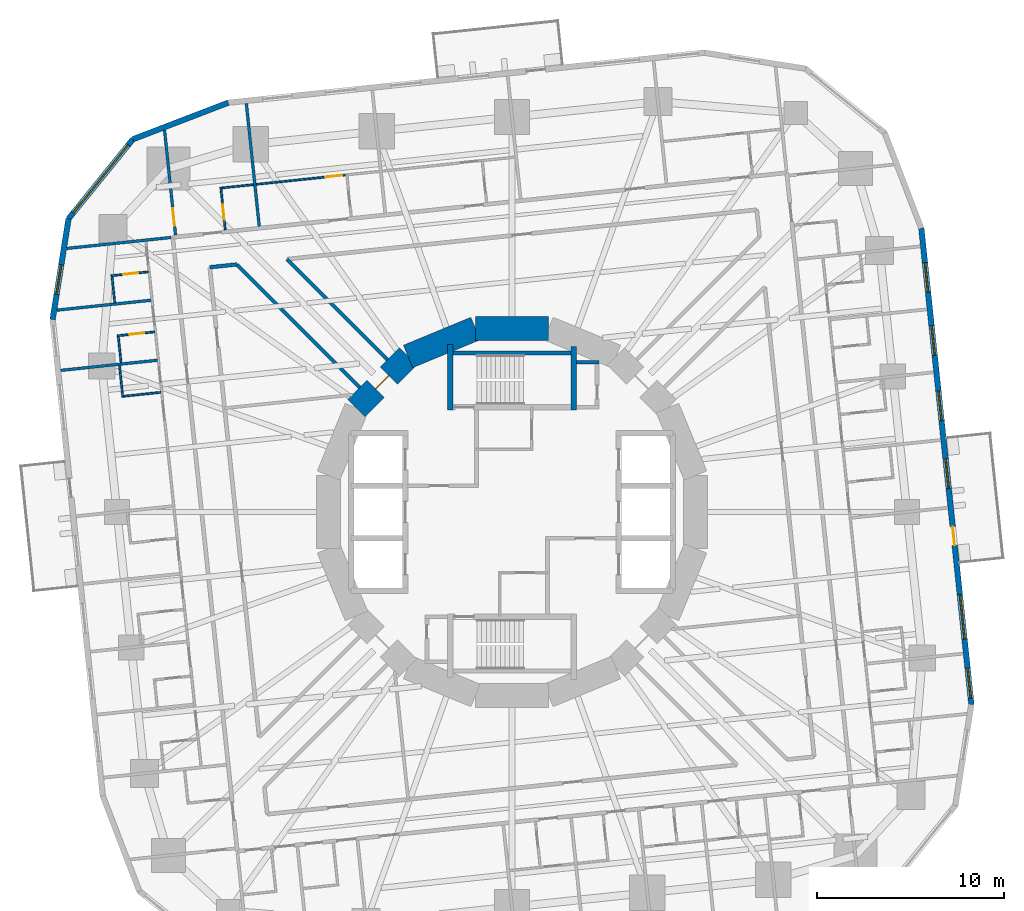
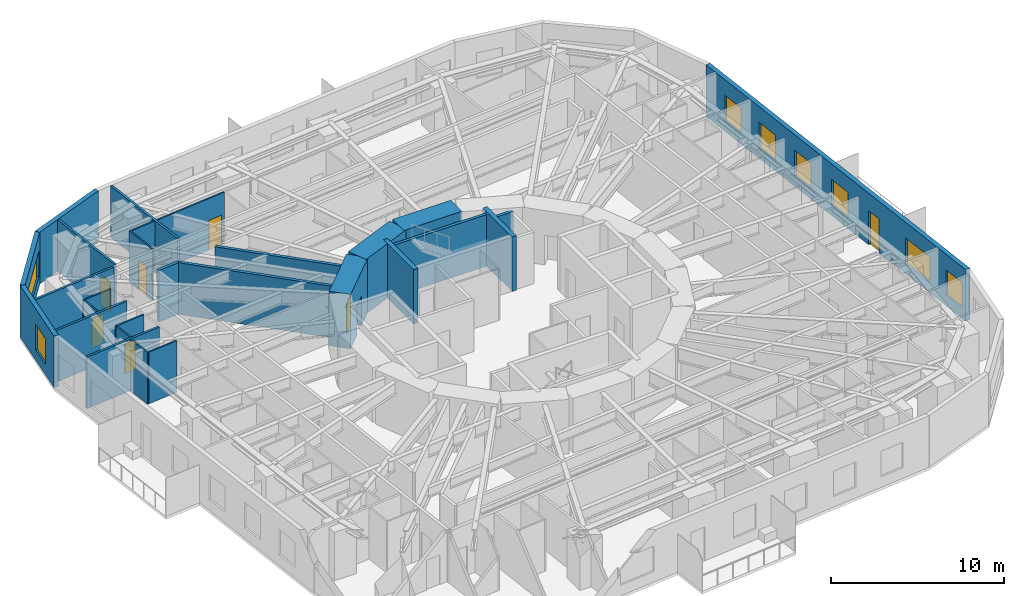
# One storey, part 9 of 13: 28 walls, 8 windows, 7 doors, 15 openings.
"""IFC4 building model written with IfcOpenShell, lengths in metres."""

from ifc_helpers import new_model, si_unit, direction, frame, frame_2d, origin, place, context, subcontext, project, spatial, rectangle, extrude, material, layer, layer_set, type_object, element, fill, save


model = new_model("IFC4")

# Units and contexts
model_context = context("Model", 3, precision=1e-05, world=origin(), true_north=direction((0.0, 1.0)))
body_context = subcontext(model_context, "Body", "Model", "MODEL_VIEW")
ifc_project = project(units=[si_unit("LENGTHUNIT", "METRE"), si_unit("AREAUNIT", "SQUARE_METRE"), si_unit("VOLUMEUNIT", "CUBIC_METRE"), si_unit("PLANEANGLEUNIT", "RADIAN"), si_unit("MASSUNIT", "GRAM", prefix="KILO")], contexts=[model_context])

# Site, building, storey
site_placement = place(None, origin())
site = spatial("IfcSite", under=ifc_project, at=site_placement, CompositionType="ELEMENT")
building_placement = place(site_placement, origin())
building = spatial("IfcBuilding", under=site, at=building_placement, Name="Nakasero Lantern House", CompositionType="ELEMENT")
storey_placement = place(building_placement, frame((0.0, 0.0, 91.300048828125)))
storey = spatial("IfcBuildingStorey", under=building, at=storey_placement, Name="L22", CompositionType="ELEMENT", Elevation=91.300048828125)

# Walls
ifc_material_1 = material(Name="Concrete C50/60", Category="concrete")
ifc_layer_1 = layer(ifc_material_1, 0.300048828125)
ifc_layer_set_1 = layer_set([ifc_layer_1], Name="Core inner wall 300")
wall_type_1 = type_object("IfcWallType", Name="Core inner wall 300", PredefinedType="SHEAR", material=ifc_layer_set_1)
wall_1_placement = place(storey_placement, frame((-3.300048828125, 5.449951171875, 0.0), z_axis=(0.0, 0.0, 1.0), x_axis=(0.0, 1.0, 0.0)))
element("IfcWall", 1, at=wall_1_placement, inside=storey, type_object=wall_type_1, Name="Core inner wall L22 SNW", PredefinedType="SHEAR", context=body_context, shape_type="SweptSolid", body=[
    extrude(rectangle(XDim=3.5, YDim=0.300048828125, at=frame_2d((1.75, 0.0))), origin(), (0.0, 0.0, 1.0), 3.849853515625),
])
wall_2_placement = place(storey_placement, frame((3.300048828125, 5.449951171875, 0.0), z_axis=(0.0, 0.0, 1.0), x_axis=(0.0, 1.0, 0.0)))
element("IfcWall", 2, at=wall_2_placement, inside=storey, type_object=wall_type_1, Name="Core inner wall L22 SNE", PredefinedType="SHEAR", context=body_context, shape_type="SweptSolid", body=[
    extrude(rectangle(XDim=3.400146484375, YDim=0.300048828125, at=frame_2d((1.7001953125, 0.0))), origin(), (0.0, 0.0, 1.0), 3.849853515625),
])
ifc_material_2 = material(Name="Concrete C50/60", Category="concrete")
ifc_layer_2 = layer(ifc_material_2, 1.300048828125)
ifc_layer_set_2 = layer_set([ifc_layer_2], Name="Core wall 1300")
wall_type_2 = type_object("IfcWallType", Name="Core wall 1300", PredefinedType="SHEAR", material=ifc_layer_set_2)
for number, where, z_axis, x_axis, name in (
    (3, (1.950927734375, 9.807861328125, 0.0), (0.0, 0.0, 1.0), (-1.0, 0.0, 0.0), "Core wall L22 facet 4"),
    (4, (-1.950927734375, 9.807861328125, 0.0), (0.0, 0.0, 1.0), (-0.923876507187, -0.382690736062, 0.0), "Core wall L22 facet 5"),
):
    element("IfcWall", number, at=place(storey_placement, frame(where, z_axis=z_axis, x_axis=x_axis)), inside=storey, type_object=wall_type_2, Name=name, PredefinedType="SHEAR", context=body_context, shape_type="SweptSolid", body=[
        extrude(rectangle(XDim=3.90185546875, YDim=1.300048828125, at=frame_2d((1.950927734375, 0.0))), origin(), (0.0, 0.0, 1.0), 3.849853515625),
    ])

# Wall, opening, door
wall_3_placement = place(storey_placement, frame((-5.5556640625, 8.314697265625, 0.0), z_axis=(0.0, 0.0, 1.0), x_axis=(-0.707106781187, -0.707106781187, 0.0)))
wall_3 = element("IfcWall", 5, at=wall_3_placement, inside=storey, type_object=wall_type_2, Name="Core wall L22 facet 6", PredefinedType="SHEAR", context=body_context, shape_type="SweptSolid", body=[
    extrude(rectangle(XDim=3.90185546875, YDim=1.300048828125, at=frame_2d((1.950927734375, 0.0))), origin(), (0.0, 0.0, 1.0), 3.849853515625),
])
opening_1_placement = place(wall_3_placement, frame((1.450927734375, 0.0, 0.0)))
opening_1 = element("IfcOpeningElement", 6, at=opening_1_placement, cuts=wall_3, Name="Opening D05", PredefinedType="OPENING", context=body_context, shape_type="SweptSolid", body=[
    extrude(rectangle(XDim=1.0, YDim=2.10009765625, at=frame_2d((0.5, 1.050048828125))), frame((0.0, 0.669921875, 0.0), z_axis=(0.0, -1.0, 0.0), x_axis=(1.0, 0.0, 0.0)), (0.0, 0.0, 1.0), 1.340087890625),
])
ifc_material_3 = material(Name="Timber C24", Category="wood")
door_type_1 = type_object("IfcDoorType", Name="Core door FD60S 1000", OperationType="SINGLE_SWING_LEFT", PredefinedType="DOOR", material=ifc_material_3)
door_1_placement = place(opening_1_placement, origin())
door_1 = element("IfcDoor", 7, at=door_1_placement, inside=storey, type_object=door_type_1, Name="Door L22 D-CORE06", OperationType="SINGLE_SWING_LEFT", OverallHeight=2.10009765625, OverallWidth=1.0, PredefinedType="DOOR", context=body_context, shape_type="SweptSolid", body=[
    extrude(rectangle(XDim=1.0, YDim=2.10009765625, at=frame_2d((0.5, 1.050048828125))), frame((0.0, 0.02490234375, 0.0), z_axis=(0.0, -1.0, 0.0), x_axis=(1.0, 0.0, 0.0)), (0.0, 0.0, 1.0), 0.050048828125),
])
fill(opening_1, door_1)

# Walls
ifc_material_4 = material(Name="Blockwork", Category="masonry")
ifc_layer_3 = layer(ifc_material_4, 0.199951171875)
ifc_layer_set_3 = layer_set([ifc_layer_3], Name="Corridor wall 200")
wall_type_3 = type_object("IfcWallType", Name="Corridor wall 200", PredefinedType="PARTITIONING", material=ifc_layer_set_3)
wall_4_placement = place(storey_placement, frame((-14.718994140625, 13.23388671875, 0.0), z_axis=(0.0, 0.0, 1.0), x_axis=(-0.994533193131, -0.104420916302, 0.0)))
element("IfcWall", 8, at=wall_4_placement, inside=storey, type_object=wall_type_3, Name="Corridor wall L22 IW1-1", PredefinedType="PARTITIONING", context=body_context, shape_type="SweptSolid", body=[
    extrude(rectangle(XDim=1.44482421875, YDim=0.199951171875, at=frame_2d((0.722412109375, 0.0))), origin(), (0.0, 0.0, 1.0), 3.64990234375),
])
wall_5_placement = place(storey_placement, frame((-8.13720703125, 6.65234375, 0.0), z_axis=(0.0, 0.0, 1.0), x_axis=(-0.707119895793, 0.707093666337, 0.0)))
element("IfcWall", 9, at=wall_5_placement, inside=storey, type_object=wall_type_3, Name="Corridor wall L22 PS06a", PredefinedType="PARTITIONING", context=body_context, shape_type="SweptSolid", body=[
    extrude(rectangle(XDim=9.307861328125, YDim=0.199951171875, at=frame_2d((4.65380859375, 0.0))), origin(), (0.0, 0.0, 1.0), 3.64990234375),
])
wall_6_placement = place(storey_placement, frame((-6.65234375, 8.13720703125, 0.0), z_axis=(0.0, 0.0, 1.0), x_axis=(-0.707106781187, 0.707106781187, 0.0)))
element("IfcWall", 10, at=wall_6_placement, inside=storey, type_object=wall_type_3, Name="Corridor wall L22 PS06b", PredefinedType="PARTITIONING", context=body_context, shape_type="SweptSolid", body=[
    extrude(rectangle(XDim=7.607177734375, YDim=0.199951171875, at=frame_2d((3.8037109375, 0.0))), origin(), (0.0, 0.0, 1.0), 3.64990234375),
])

# Wall, opening, door
ifc_material_5 = material(Name="Blockwork", Category="masonry")
ifc_layer_4 = layer(ifc_material_5, 0.10009765625)
ifc_layer_set_4 = layer_set([ifc_layer_4], Name="En-suite wall 100")
wall_type_4 = type_object("IfcWallType", Name="En-suite wall 100", PredefinedType="PARTITIONING", material=ifc_layer_set_4)
wall_7_placement = place(storey_placement, frame((-15.326416015625, 15.08056640625, 0.0), z_axis=(0.0, 0.0, 1.0), x_axis=(-0.104557694553, 0.994518822602, 0.0)))
wall_7 = element("IfcWall", 11, at=wall_7_placement, inside=storey, type_object=wall_type_4, Name="En-suite wall L22 ES1-08", PredefinedType="PARTITIONING", context=body_context, shape_type="SweptSolid", body=[
    extrude(rectangle(XDim=2.300048828125, YDim=0.10009765625, at=frame_2d((1.14990234375, 0.0))), origin(), (0.0, 0.0, 1.0), 3.64990234375),
])
opening_2_placement = place(wall_7_placement, frame((0.550048828125, 0.0, 0.0)))
opening_2 = element("IfcOpeningElement", 12, at=opening_2_placement, cuts=wall_7, Name="Opening D02", PredefinedType="OPENING", context=body_context, shape_type="SweptSolid", body=[
    extrude(rectangle(XDim=0.800048828125, YDim=2.10009765625, at=frame_2d((0.39990234375, 1.050048828125))), frame((0.0, 0.070068359375, 0.0), z_axis=(0.0, -1.0, 0.0), x_axis=(1.0, 0.0, 0.0)), (0.0, 0.0, 1.0), 0.14013671875),
])
ifc_material_6 = material(Name="Timber C24", Category="wood")
door_type_2 = type_object("IfcDoorType", Name="En-suite door 800", OperationType="SINGLE_SWING_RIGHT", PredefinedType="DOOR", material=ifc_material_6)
door_2_placement = place(opening_2_placement, origin())
door_2 = element("IfcDoor", 13, at=door_2_placement, inside=storey, type_object=door_type_2, Name="Door L22 DE1-08", OperationType="SINGLE_SWING_LEFT", OverallHeight=2.10009765625, OverallWidth=0.800048828125, PredefinedType="DOOR", context=body_context, shape_type="SweptSolid", body=[
    extrude(rectangle(XDim=0.800048828125, YDim=2.10009765625, at=frame_2d((0.39990234375, 1.050048828125))), frame((0.0, 0.02490234375, 0.0), z_axis=(0.0, -1.0, 0.0), x_axis=(1.0, 0.0, 0.0)), (0.0, 0.0, 1.0), 0.050048828125),
])
fill(opening_2, door_2)

# Walls
wall_8_placement = place(storey_placement, frame((-13.8212890625, 17.501220703125, 0.0), z_axis=(0.0, 0.0, 1.0), x_axis=(-0.994519608382, -0.104550220202, 0.0)))
element("IfcWall", 14, at=wall_8_placement, inside=storey, type_object=wall_type_4, Name="En-suite wall L22 EE1-08", PredefinedType="PARTITIONING", context=body_context, shape_type="SweptSolid", body=[
    extrude(rectangle(XDim=1.699951171875, YDim=0.10009765625, at=frame_2d((0.85009765625, 0.0))), origin(), (0.0, 0.0, 1.0), 3.64990234375),
])
wall_9_placement = place(storey_placement, frame((-18.771484375, 6.397216796875, 0.0), z_axis=(0.0, 0.0, 1.0), x_axis=(-0.994523910136, -0.104509292252, 0.0)))
element("IfcWall", 15, at=wall_9_placement, inside=storey, type_object=wall_type_4, Name="En-suite wall L22 SS2-0", PredefinedType="PARTITIONING", context=body_context, shape_type="SweptSolid", body=[
    extrude(rectangle(XDim=2.10009765625, YDim=0.10009765625, at=frame_2d((1.050048828125, 0.0))), origin(), (0.0, 0.0, 1.0), 3.64990234375),
])
wall_10_placement = place(storey_placement, frame((-20.982666015625, 7.823974609375, 0.0), z_axis=(0.0, 0.0, 1.0), x_axis=(0.104408173862, -0.994534530939, 0.0)))
element("IfcWall", 16, at=wall_10_placement, inside=storey, type_object=wall_type_4, Name="En-suite wall L22 SE2-0", PredefinedType="PARTITIONING", context=body_context, shape_type="SweptSolid", body=[
    extrude(rectangle(XDim=1.699951171875, YDim=0.10009765625, at=frame_2d((0.85009765625, 0.0))), origin(), (0.0, 0.0, 1.0), 3.64990234375),
])

# Wall, opening, door
wall_11_placement = place(storey_placement, frame((-19.448486328125, 12.837158203125, 0.0), z_axis=(0.0, 0.0, 1.0), x_axis=(-0.99452550138, -0.104494148666, 0.0)))
wall_11 = element("IfcWall", 17, at=wall_11_placement, inside=storey, type_object=wall_type_4, Name="En-suite wall L22 ES2-00", PredefinedType="PARTITIONING", context=body_context, shape_type="SweptSolid", body=[
    extrude(rectangle(XDim=2.0, YDim=0.10009765625, at=frame_2d((1.0, 0.0))), origin(), (0.0, 0.0, 1.0), 3.64990234375),
])
opening_3_placement = place(wall_11_placement, frame((0.550048828125, 0.0, 0.0)))
opening_3 = element("IfcOpeningElement", 18, at=opening_3_placement, cuts=wall_11, Name="Opening D02", PredefinedType="OPENING", context=body_context, shape_type="SweptSolid", body=[
    extrude(rectangle(XDim=0.800048828125, YDim=2.10009765625, at=frame_2d((0.39990234375, 1.050048828125))), frame((0.0, 0.070068359375, 0.0), z_axis=(0.0, -1.0, 0.0), x_axis=(1.0, 0.0, 0.0)), (0.0, 0.0, 1.0), 0.14013671875),
])
door_3_placement = place(opening_3_placement, origin())
door_3 = element("IfcDoor", 19, at=door_3_placement, inside=storey, type_object=door_type_2, Name="Door L22 DE2-00", OperationType="SINGLE_SWING_LEFT", OverallHeight=2.10009765625, OverallWidth=0.800048828125, PredefinedType="DOOR", context=body_context, shape_type="SweptSolid", body=[
    extrude(rectangle(XDim=0.800048828125, YDim=2.10009765625, at=frame_2d((0.39990234375, 1.050048828125))), frame((0.0, 0.02490234375, 0.0), z_axis=(0.0, -1.0, 0.0), x_axis=(1.0, 0.0, 0.0)), (0.0, 0.0, 1.0), 0.050048828125),
])
fill(opening_3, door_3)

# Wall
wall_12_placement = place(storey_placement, frame((-21.382568359375, 12.58349609375, 0.0), z_axis=(0.0, 0.0, 1.0), x_axis=(0.104630319263, -0.994511184598, 0.0)))
element("IfcWall", 20, at=wall_12_placement, inside=storey, type_object=wall_type_4, Name="En-suite wall L22 EE2-00", PredefinedType="PARTITIONING", context=body_context, shape_type="SweptSolid", body=[
    extrude(rectangle(XDim=1.39990234375, YDim=0.10009765625, at=frame_2d((0.699951171875, 0.0))), origin(), (0.0, 0.0, 1.0), 3.64990234375),
])

# Wall, opening, door
wall_13_placement = place(storey_placement, frame((-19.111328125, 9.62939453125, 0.0), z_axis=(0.0, 0.0, 1.0), x_axis=(-0.99452550138, -0.104494148666, 0.0)))
wall_13 = element("IfcWall", 21, at=wall_13_placement, inside=storey, type_object=wall_type_4, Name="En-suite wall L22 ES2-01", PredefinedType="PARTITIONING", context=body_context, shape_type="SweptSolid", body=[
    extrude(rectangle(XDim=2.0, YDim=0.10009765625, at=frame_2d((1.0, 0.0))), origin(), (0.0, 0.0, 1.0), 3.64990234375),
])
opening_4_placement = place(wall_13_placement, frame((0.550048828125, 0.0, 0.0)))
opening_4 = element("IfcOpeningElement", 22, at=opening_4_placement, cuts=wall_13, Name="Opening D02", PredefinedType="OPENING", context=body_context, shape_type="SweptSolid", body=[
    extrude(rectangle(XDim=0.800048828125, YDim=2.10009765625, at=frame_2d((0.39990234375, 1.050048828125))), frame((0.0, 0.070068359375, 0.0), z_axis=(0.0, -1.0, 0.0), x_axis=(1.0, 0.0, 0.0)), (0.0, 0.0, 1.0), 0.14013671875),
])
door_4_placement = place(opening_4_placement, origin())
door_4 = element("IfcDoor", 23, at=door_4_placement, inside=storey, type_object=door_type_2, Name="Door L22 DE2-01", OperationType="SINGLE_SWING_LEFT", OverallHeight=2.10009765625, OverallWidth=0.800048828125, PredefinedType="DOOR", context=body_context, shape_type="SweptSolid", body=[
    extrude(rectangle(XDim=0.800048828125, YDim=2.10009765625, at=frame_2d((0.39990234375, 1.050048828125))), frame((0.0, 0.02490234375, 0.0), z_axis=(0.0, -1.0, 0.0), x_axis=(1.0, 0.0, 0.0)), (0.0, 0.0, 1.0), 0.050048828125),
])
fill(opening_4, door_4)

# Wall
wall_14_placement = place(storey_placement, frame((-21.04541015625, 9.3759765625, 0.0), z_axis=(0.0, 0.0, 1.0), x_axis=(0.104630319263, -0.994511184598, 0.0)))
element("IfcWall", 24, at=wall_14_placement, inside=storey, type_object=wall_type_4, Name="En-suite wall L22 EE2-01", PredefinedType="PARTITIONING", context=body_context, shape_type="SweptSolid", body=[
    extrude(rectangle(XDim=1.39990234375, YDim=0.10009765625, at=frame_2d((0.699951171875, 0.0))), origin(), (0.0, 0.0, 1.0), 3.64990234375),
])

# Wall, opening, door
wall_15_placement = place(storey_placement, frame((-8.87744140625, 18.020751953125, 0.0), z_axis=(0.0, 0.0, 1.0), x_axis=(-0.994522643282, -0.104521347102, 0.0)))
wall_15 = element("IfcWall", 25, at=wall_15_placement, inside=storey, type_object=wall_type_4, Name="En-suite wall L22 EL1-06", PredefinedType="PARTITIONING", context=body_context, shape_type="SweptSolid", body=[
    extrude(rectangle(XDim=4.821044921875, YDim=0.10009765625, at=frame_2d((2.41064453125, 0.0))), origin(), (0.0, 0.0, 1.0), 3.64990234375),
])
opening_5_placement = place(wall_15_placement, frame((0.199951171875, 0.0, 0.0)))
opening_5 = element("IfcOpeningElement", 26, at=opening_5_placement, cuts=wall_15, Name="Opening D17", PredefinedType="OPENING", context=body_context, shape_type="SweptSolid", body=[
    extrude(rectangle(XDim=0.89990234375, YDim=2.10009765625, at=frame_2d((0.449951171875, 1.050048828125))), frame((0.0, 0.070068359375, 0.0), z_axis=(0.0, -1.0, 0.0), x_axis=(1.0, 0.0, 0.0)), (0.0, 0.0, 1.0), 0.14013671875),
])
ifc_material_7 = material(Name="Timber C24", Category="wood")
door_type_3 = type_object("IfcDoorType", Name="Bedroom door FD30S 900", OperationType="SINGLE_SWING_LEFT", PredefinedType="DOOR", material=ifc_material_7)
door_5_placement = place(opening_5_placement, origin())
door_5 = element("IfcDoor", 27, at=door_5_placement, inside=storey, type_object=door_type_3, Name="Door L22 DL1-06", OperationType="SINGLE_SWING_LEFT", OverallHeight=2.10009765625, OverallWidth=0.89990234375, PredefinedType="DOOR", context=body_context, shape_type="SweptSolid", body=[
    extrude(rectangle(XDim=0.89990234375, YDim=2.10009765625, at=frame_2d((0.449951171875, 1.050048828125))), frame((0.0, 0.02490234375, 0.0), z_axis=(0.0, -1.0, 0.0), x_axis=(1.0, 0.0, 0.0)), (0.0, 0.0, 1.0), 0.050048828125),
])
fill(opening_5, door_5)

# Wall, openings, door, windows
ifc_material_8 = material(Name="Aluminium rainscreen on blockwork", Category="masonry")
ifc_layer_5 = layer(ifc_material_8, 0.300048828125)
ifc_layer_set_5 = layer_set([ifc_layer_5], Name="Facade wall 300")
wall_type_5 = type_object("IfcWallType", Name="Facade wall 300", PredefinedType="SOLIDWALL", material=ifc_layer_set_5)
wall_16_placement = place(storey_placement, frame((24.56005859375, -10.2890625, 0.0), z_axis=(0.0, 0.0, 1.0), x_axis=(-0.104532378096, 0.994521483895, 0.0)))
wall_16 = element("IfcWall", 28, at=wall_16_placement, inside=storey, type_object=wall_type_5, Name="Facade wall L22 FW0S", PredefinedType="SOLIDWALL", context=body_context, shape_type="SweptSolid", body=[
    extrude(rectangle(XDim=25.599853515625, YDim=0.300048828125, at=frame_2d((12.7998046875, 0.0))), origin(), (0.0, 0.0, 1.0), 3.64990234375),
])
opening_6_placement = place(wall_16_placement, frame((0.337890625, 0.0, 0.75)))
opening_6 = element("IfcOpeningElement", 29, at=opening_6_placement, cuts=wall_16, Name="Opening W01", PredefinedType="OPENING", context=body_context, shape_type="SweptSolid", body=[
    extrude(rectangle(XDim=1.60009765625, YDim=1.800048828125, at=frame_2d((0.800048828125, 0.89990234375))), frame((0.0, 0.169921875, 0.0), z_axis=(0.0, -1.0, 0.0), x_axis=(1.0, 0.0, 0.0)), (0.0, 0.0, 1.0), 0.340087890625),
])
opening_7_placement = place(wall_16_placement, frame((11.612060546875, 0.0, 0.75)))
opening_7 = element("IfcOpeningElement", 30, at=opening_7_placement, cuts=wall_16, Name="Opening W01", PredefinedType="OPENING", context=body_context, shape_type="SweptSolid", body=[
    extrude(rectangle(XDim=1.60009765625, YDim=1.800048828125, at=frame_2d((0.800048828125, 0.89990234375))), frame((0.0, 0.169921875, 0.0), z_axis=(0.0, -1.0, 0.0), x_axis=(1.0, 0.0, 0.0)), (0.0, 0.0, 1.0), 0.340087890625),
])
opening_8_placement = place(wall_16_placement, frame((15.250732421875, 0.0, 0.75)))
opening_8 = element("IfcOpeningElement", 31, at=opening_8_placement, cuts=wall_16, Name="Opening W01", PredefinedType="OPENING", context=body_context, shape_type="SweptSolid", body=[
    extrude(rectangle(XDim=1.60009765625, YDim=1.800048828125, at=frame_2d((0.800048828125, 0.89990234375))), frame((0.0, 0.169921875, 0.0), z_axis=(0.0, -1.0, 0.0), x_axis=(1.0, 0.0, 0.0)), (0.0, 0.0, 1.0), 0.340087890625),
])
opening_9_placement = place(wall_16_placement, frame((18.7626953125, 0.0, 0.75)))
opening_9 = element("IfcOpeningElement", 32, at=opening_9_placement, cuts=wall_16, Name="Opening W01", PredefinedType="OPENING", context=body_context, shape_type="SweptSolid", body=[
    extrude(rectangle(XDim=1.60009765625, YDim=1.800048828125, at=frame_2d((0.800048828125, 0.89990234375))), frame((0.0, 0.169921875, 0.0), z_axis=(0.0, -1.0, 0.0), x_axis=(1.0, 0.0, 0.0)), (0.0, 0.0, 1.0), 0.340087890625),
])
opening_10_placement = place(wall_16_placement, frame((22.1484375, 0.0, 0.75)))
opening_10 = element("IfcOpeningElement", 33, at=opening_10_placement, cuts=wall_16, Name="Opening W01", PredefinedType="OPENING", context=body_context, shape_type="SweptSolid", body=[
    extrude(rectangle(XDim=1.60009765625, YDim=1.800048828125, at=frame_2d((0.800048828125, 0.89990234375))), frame((0.0, 0.169921875, 0.0), z_axis=(0.0, -1.0, 0.0), x_axis=(1.0, 0.0, 0.0)), (0.0, 0.0, 1.0), 0.340087890625),
])
opening_11_placement = place(wall_16_placement, frame((3.51123046875, 0.0, 0.75)))
opening_11 = element("IfcOpeningElement", 34, at=opening_11_placement, cuts=wall_16, Name="Opening W03", PredefinedType="OPENING", context=body_context, shape_type="SweptSolid", body=[
    extrude(rectangle(XDim=2.39990234375, YDim=1.800048828125, at=frame_2d((1.199951171875, 0.89990234375))), frame((0.0, 0.169921875, 0.0), z_axis=(0.0, -1.0, 0.0), x_axis=(1.0, 0.0, 0.0)), (0.0, 0.0, 1.0), 0.340087890625),
])
opening_12_placement = place(wall_16_placement, frame((8.558837890625, 0.0, 0.0)))
opening_12 = element("IfcOpeningElement", 35, at=opening_12_placement, cuts=wall_16, Name="Opening D04", PredefinedType="OPENING", context=body_context, shape_type="SweptSolid", body=[
    extrude(rectangle(XDim=1.0, YDim=2.39990234375, at=frame_2d((0.5, 1.199951171875))), frame((0.0, 0.169921875, 0.0), z_axis=(0.0, -1.0, 0.0), x_axis=(1.0, 0.0, 0.0)), (0.0, 0.0, 1.0), 0.340087890625),
])
ifc_material_9 = material(Name="Aluminium 6063-T6 and glass", Category="aluminium")
door_type_4 = type_object("IfcDoorType", Name="Balcony door 1000x2400", OperationType="SINGLE_SWING_RIGHT", PredefinedType="DOOR", material=ifc_material_9)
door_6_placement = place(opening_12_placement, origin())
door_6 = element("IfcDoor", 36, at=door_6_placement, inside=storey, type_object=door_type_4, Name="Balcony door L22 DB0", OperationType="SINGLE_SWING_RIGHT", OverallHeight=2.39990234375, OverallWidth=1.0, PredefinedType="DOOR", context=body_context, shape_type="SweptSolid", body=[
    extrude(rectangle(XDim=1.0, YDim=2.39990234375, at=frame_2d((0.5, 1.199951171875))), frame((0.0, 0.02490234375, 0.0), z_axis=(0.0, -1.0, 0.0), x_axis=(1.0, 0.0, 0.0)), (0.0, 0.0, 1.0), 0.050048828125),
])
fill(opening_12, door_6)
ifc_material_10 = material(Name="Aluminium 6063-T6 and glass", Category="aluminium")
window_type_1 = type_object("IfcWindowType", Name="Bedroom window 1600x1800", PartitioningType="SINGLE_PANEL", PredefinedType="WINDOW", material=ifc_material_10)
window_1_placement = place(opening_6_placement, origin())
window_1 = element("IfcWindow", 37, at=window_1_placement, inside=storey, type_object=window_type_1, Name="Window L22 WN0-01", OverallHeight=1.800048828125, OverallWidth=1.60009765625, PartitioningType="SINGLE_PANEL", PredefinedType="WINDOW", context=body_context, shape_type="SweptSolid", body=[
    extrude(rectangle(XDim=1.60009765625, YDim=1.800048828125, at=frame_2d((0.800048828125, 0.89990234375))), frame((0.0, 0.030029296875, 0.0), z_axis=(0.0, -1.0, 0.0), x_axis=(1.0, 0.0, 0.0)), (0.0, 0.0, 1.0), 0.06005859375),
])
fill(opening_6, window_1)
window_2_placement = place(opening_7_placement, origin())
window_2 = element("IfcWindow", 38, at=window_2_placement, inside=storey, type_object=window_type_1, Name="Window L22 WN0-04", OverallHeight=1.800048828125, OverallWidth=1.60009765625, PartitioningType="SINGLE_PANEL", PredefinedType="WINDOW", context=body_context, shape_type="SweptSolid", body=[
    extrude(rectangle(XDim=1.60009765625, YDim=1.800048828125, at=frame_2d((0.800048828125, 0.89990234375))), frame((0.0, 0.030029296875, 0.0), z_axis=(0.0, -1.0, 0.0), x_axis=(1.0, 0.0, 0.0)), (0.0, 0.0, 1.0), 0.06005859375),
])
fill(opening_7, window_2)
window_3_placement = place(opening_8_placement, origin())
window_3 = element("IfcWindow", 39, at=window_3_placement, inside=storey, type_object=window_type_1, Name="Window L22 WN0-05", OverallHeight=1.800048828125, OverallWidth=1.60009765625, PartitioningType="SINGLE_PANEL", PredefinedType="WINDOW", context=body_context, shape_type="SweptSolid", body=[
    extrude(rectangle(XDim=1.60009765625, YDim=1.800048828125, at=frame_2d((0.800048828125, 0.89990234375))), frame((0.0, 0.030029296875, 0.0), z_axis=(0.0, -1.0, 0.0), x_axis=(1.0, 0.0, 0.0)), (0.0, 0.0, 1.0), 0.06005859375),
])
fill(opening_8, window_3)
window_4_placement = place(opening_9_placement, origin())
window_4 = element("IfcWindow", 40, at=window_4_placement, inside=storey, type_object=window_type_1, Name="Window L22 WN0-06", OverallHeight=1.800048828125, OverallWidth=1.60009765625, PartitioningType="SINGLE_PANEL", PredefinedType="WINDOW", context=body_context, shape_type="SweptSolid", body=[
    extrude(rectangle(XDim=1.60009765625, YDim=1.800048828125, at=frame_2d((0.800048828125, 0.89990234375))), frame((0.0, 0.030029296875, 0.0), z_axis=(0.0, -1.0, 0.0), x_axis=(1.0, 0.0, 0.0)), (0.0, 0.0, 1.0), 0.06005859375),
])
fill(opening_9, window_4)
window_5_placement = place(opening_10_placement, origin())
window_5 = element("IfcWindow", 41, at=window_5_placement, inside=storey, type_object=window_type_1, Name="Window L22 WN0-07", OverallHeight=1.800048828125, OverallWidth=1.60009765625, PartitioningType="SINGLE_PANEL", PredefinedType="WINDOW", context=body_context, shape_type="SweptSolid", body=[
    extrude(rectangle(XDim=1.60009765625, YDim=1.800048828125, at=frame_2d((0.800048828125, 0.89990234375))), frame((0.0, 0.030029296875, 0.0), z_axis=(0.0, -1.0, 0.0), x_axis=(1.0, 0.0, 0.0)), (0.0, 0.0, 1.0), 0.06005859375),
])
fill(opening_10, window_5)
ifc_material_11 = material(Name="Aluminium 6063-T6 and glass", Category="aluminium")
window_type_2 = type_object("IfcWindowType", Name="Lounge window 2400x1800", PartitioningType="SINGLE_PANEL", PredefinedType="WINDOW", material=ifc_material_11)
window_6_placement = place(opening_11_placement, origin())
window_6 = element("IfcWindow", 42, at=window_6_placement, inside=storey, type_object=window_type_2, Name="Window L22 WK0", OverallHeight=1.800048828125, OverallWidth=2.39990234375, PartitioningType="SINGLE_PANEL", PredefinedType="WINDOW", context=body_context, shape_type="SweptSolid", body=[
    extrude(rectangle(XDim=2.39990234375, YDim=1.800048828125, at=frame_2d((1.199951171875, 0.89990234375))), frame((0.0, 0.030029296875, 0.0), z_axis=(0.0, -1.0, 0.0), x_axis=(1.0, 0.0, 0.0)), (0.0, 0.0, 1.0), 0.06005859375),
])
fill(opening_11, window_6)

# Wall
wall_17_placement = place(storey_placement, frame((-15.170654296875, 21.884033203125, 0.0), z_axis=(0.0, 0.0, 1.0), x_axis=(-0.933583906079, -0.358358884793, 0.0)))
element("IfcWall", 43, at=wall_17_placement, inside=storey, type_object=wall_type_5, Name="Facade wall L22 FW1C1", PredefinedType="SOLIDWALL", context=body_context, shape_type="SweptSolid", body=[
    extrude(rectangle(XDim=5.461181640625, YDim=0.300048828125, at=frame_2d((2.73046875, 0.0))), origin(), (0.0, 0.0, 1.0), 3.64990234375),
])

# Wall, opening, window
wall_18_placement = place(storey_placement, frame((-20.26904296875, 19.927001953125, 0.0), z_axis=(0.0, 0.0, 1.0), x_axis=(-0.629334543442, -0.777134500863, 0.0)))
wall_18 = element("IfcWall", 44, at=wall_18_placement, inside=storey, type_object=wall_type_5, Name="Facade wall L22 FW1C2", PredefinedType="SOLIDWALL", context=body_context, shape_type="SweptSolid", body=[
    extrude(rectangle(XDim=5.4609375, YDim=0.300048828125, at=frame_2d((2.73046875, 0.0))), origin(), (0.0, 0.0, 1.0), 3.64990234375),
])
opening_13_placement = place(wall_18_placement, frame((0.39990234375, 0.0, 0.75)))
opening_13 = element("IfcOpeningElement", 45, at=opening_13_placement, cuts=wall_18, Name="Opening W246", PredefinedType="OPENING", context=body_context, shape_type="SweptSolid", body=[
    extrude(rectangle(XDim=4.660888671875, YDim=1.800048828125, at=frame_2d((2.33056640625, 0.89990234375))), frame((0.0, 0.169921875, 0.0), z_axis=(0.0, -1.0, 0.0), x_axis=(1.0, 0.0, 0.0)), (0.0, 0.0, 1.0), 0.340087890625),
])
ifc_material_12 = material(Name="Aluminium 6063-T6 and glass", Category="aluminium")
window_type_3 = type_object("IfcWindowType", Name="Corner window 4661x1800", PartitioningType="SINGLE_PANEL", PredefinedType="WINDOW", material=ifc_material_12)
window_7_placement = place(opening_13_placement, origin())
window_7 = element("IfcWindow", 46, at=window_7_placement, inside=storey, type_object=window_type_3, Name="Window L22 WC1", OverallHeight=1.800048828125, OverallWidth=4.660888671875, PartitioningType="SINGLE_PANEL", PredefinedType="WINDOW", context=body_context, shape_type="SweptSolid", body=[
    extrude(rectangle(XDim=4.660888671875, YDim=1.800048828125, at=frame_2d((2.33056640625, 0.89990234375))), frame((0.0, 0.030029296875, 0.0), z_axis=(0.0, -1.0, 0.0), x_axis=(1.0, 0.0, 0.0)), (0.0, 0.0, 1.0), 0.06005859375),
])
fill(opening_13, window_7)

wall_19_placement = place(storey_placement, frame((-23.705810546875, 15.68310546875, 0.0), z_axis=(0.0, 0.0, 1.0), x_axis=(-0.156419383601, -0.987690729142, 0.0)))
wall_19 = element("IfcWall", 47, at=wall_19_placement, inside=storey, type_object=wall_type_5, Name="Facade wall L22 FW1C3", PredefinedType="SOLIDWALL", context=body_context, shape_type="SweptSolid", body=[
    extrude(rectangle(XDim=5.461181640625, YDim=0.300048828125, at=frame_2d((2.73046875, 0.0))), origin(), (0.0, 0.0, 1.0), 3.64990234375),
])
opening_14_placement = place(wall_19_placement, frame((2.5, 0.0, 0.75)))
opening_14 = element("IfcOpeningElement", 48, at=opening_14_placement, cuts=wall_19, Name="Opening W01", PredefinedType="OPENING", context=body_context, shape_type="SweptSolid", body=[
    extrude(rectangle(XDim=1.60009765625, YDim=1.800048828125, at=frame_2d((0.800048828125, 0.89990234375))), frame((0.0, 0.169921875, 0.0), z_axis=(0.0, -1.0, 0.0), x_axis=(1.0, 0.0, 0.0)), (0.0, 0.0, 1.0), 0.340087890625),
])
window_8_placement = place(opening_14_placement, origin())
window_8 = element("IfcWindow", 49, at=window_8_placement, inside=storey, type_object=window_type_1, Name="Window L22 WN2-00", OverallHeight=1.800048828125, OverallWidth=1.60009765625, PartitioningType="SINGLE_PANEL", PredefinedType="WINDOW", context=body_context, shape_type="SweptSolid", body=[
    extrude(rectangle(XDim=1.60009765625, YDim=1.800048828125, at=frame_2d((0.800048828125, 0.89990234375))), frame((0.0, 0.030029296875, 0.0), z_axis=(0.0, -1.0, 0.0), x_axis=(1.0, 0.0, 0.0)), (0.0, 0.0, 1.0), 0.06005859375),
])
fill(opening_14, window_8)

# Walls
ifc_material_13 = material(Name="Blockwork", Category="masonry")
ifc_layer_6 = layer(ifc_material_13, 0.199951171875)
ifc_layer_set_6 = layer_set([ifc_layer_6], Name="Fire lobby wall 200")
wall_type_6 = type_object("IfcWallType", Name="Fire lobby wall 200", PredefinedType="PARTITIONING", material=ifc_layer_set_6)
wall_20_placement = place(storey_placement, frame((3.449951171875, 8.0, 0.0), z_axis=(0.0, 0.0, 1.0), x_axis=(1.0, 0.0, 0.0)))
element("IfcWall", 50, at=wall_20_placement, inside=storey, type_object=wall_type_6, Name="Fire lobby wall L22 W-RS1N", PredefinedType="PARTITIONING", context=body_context, shape_type="SweptSolid", body=[
    extrude(rectangle(XDim=1.199951171875, YDim=0.199951171875, at=frame_2d((0.60009765625, 0.0))), origin(), (0.0, 0.0, 1.0), 3.64990234375),
])
wall_21_placement = place(storey_placement, frame((-3.300048828125, 8.5, 0.0), z_axis=(0.0, 0.0, 1.0), x_axis=(1.0, 0.0, 0.0)))
element("IfcWall", 51, at=wall_21_placement, inside=storey, type_object=wall_type_6, Name="Fire lobby wall L22 W-STN", PredefinedType="PARTITIONING", context=body_context, shape_type="SweptSolid", body=[
    extrude(rectangle(XDim=6.60009765625, YDim=0.199951171875, at=frame_2d((3.300048828125, 0.0))), origin(), (0.0, 0.0, 1.0), 3.64990234375),
])
ifc_material_14 = material(Name="Blockwork", Category="masonry")
ifc_layer_7 = layer(ifc_material_14, 0.14990234375)
ifc_layer_set_7 = layer_set([ifc_layer_7], Name="Party wall 150")
wall_type_7 = type_object("IfcWallType", Name="Party wall 150", PredefinedType="PARTITIONING", material=ifc_layer_set_7)
wall_22_placement = place(storey_placement, frame((-13.511474609375, 15.271240234375, 0.0), z_axis=(0.0, 0.0, 1.0), x_axis=(-0.104534592565, 0.994521251134, 0.0)))
element("IfcWall", 52, at=wall_22_placement, inside=storey, type_object=wall_type_7, Name="Party wall L22 PW1-08", PredefinedType="PARTITIONING", context=body_context, shape_type="SweptSolid", body=[
    extrude(rectangle(XDim=6.60009765625, YDim=0.14990234375, at=frame_2d((3.300048828125, 0.0))), origin(), (0.0, 0.0, 1.0), 3.64990234375),
])

# Wall, opening, door
wall_23_placement = place(storey_placement, frame((-17.9853515625, 14.801025390625, 0.0), z_axis=(0.0, 0.0, 1.0), x_axis=(-0.104520320471, 0.994522751177, 0.0)))
wall_23 = element("IfcWall", 53, at=wall_23_placement, inside=storey, type_object=wall_type_7, Name="Party wall L22 PC1", PredefinedType="PARTITIONING", context=body_context, shape_type="SweptSolid", body=[
    extrude(rectangle(XDim=5.64111328125, YDim=0.14990234375, at=frame_2d((2.820556640625, 0.0))), origin(), (0.0, 0.0, 1.0), 3.64990234375),
])
opening_15_placement = place(wall_23_placement, frame((0.5, 0.0, 0.0)))
opening_15 = element("IfcOpeningElement", 54, at=opening_15_placement, cuts=wall_23, Name="Opening D01", PredefinedType="OPENING", context=body_context, shape_type="SweptSolid", body=[
    extrude(rectangle(XDim=0.949951171875, YDim=2.10009765625, at=frame_2d((0.47509765625, 1.050048828125))), frame((0.0, 0.094970703125, 0.0), z_axis=(0.0, -1.0, 0.0), x_axis=(1.0, 0.0, 0.0)), (0.0, 0.0, 1.0), 0.18994140625),
])
ifc_material_15 = material(Name="Timber C24", Category="wood")
door_type_5 = type_object("IfcDoorType", Name="Bedroom door FD30S 950", OperationType="SINGLE_SWING_LEFT", PredefinedType="DOOR", material=ifc_material_15)
door_7_placement = place(opening_15_placement, origin())
door_7 = element("IfcDoor", 55, at=door_7_placement, inside=storey, type_object=door_type_5, Name="Door L22 DC1", OperationType="SINGLE_SWING_LEFT", OverallHeight=2.10009765625, OverallWidth=0.949951171875, PredefinedType="DOOR", context=body_context, shape_type="SweptSolid", body=[
    extrude(rectangle(XDim=0.949951171875, YDim=2.10009765625, at=frame_2d((0.47509765625, 1.050048828125))), frame((0.0, 0.02490234375, 0.0), z_axis=(0.0, -1.0, 0.0), x_axis=(1.0, 0.0, 0.0)), (0.0, 0.0, 1.0), 0.050048828125),
])
fill(opening_15, door_7)

# Walls
wall_24_placement = place(storey_placement, frame((-18.23388671875, 14.674560546875, 0.0), z_axis=(0.0, 0.0, 1.0), x_axis=(-0.994520498284, -0.104541754786, 0.0)))
element("IfcWall", 56, at=wall_24_placement, inside=storey, type_object=wall_type_7, Name="Party wall L22 PW2-00", PredefinedType="PARTITIONING", context=body_context, shape_type="SweptSolid", body=[
    extrude(rectangle(XDim=5.597900390625, YDim=0.14990234375, at=frame_2d((2.798828125, 0.0))), origin(), (0.0, 0.0, 1.0), 3.64990234375),
])
wall_25_placement = place(storey_placement, frame((-19.2890625, 11.320556640625, 0.0), z_axis=(0.0, 0.0, 1.0), x_axis=(-0.994518658271, -0.104559257608, 0.0)))
element("IfcWall", 57, at=wall_25_placement, inside=storey, type_object=wall_type_7, Name="Party wall L22 PW2-01", PredefinedType="PARTITIONING", context=body_context, shape_type="SweptSolid", body=[
    extrude(rectangle(XDim=5.062255859375, YDim=0.14990234375, at=frame_2d((2.53125, 0.0))), origin(), (0.0, 0.0, 1.0), 3.64990234375),
])
wall_26_placement = place(storey_placement, frame((-18.951904296875, 8.11279296875, 0.0), z_axis=(0.0, 0.0, 1.0), x_axis=(-0.994523446942, -0.104513699976, 0.0)))
element("IfcWall", 58, at=wall_26_placement, inside=storey, type_object=wall_type_7, Name="Party wall L22 PW2-02", PredefinedType="PARTITIONING", context=body_context, shape_type="SweptSolid", body=[
    extrude(rectangle(XDim=5.199951171875, YDim=0.14990234375, at=frame_2d((2.60009765625, 0.0))), origin(), (0.0, 0.0, 1.0), 3.64990234375),
])

save(model, "model.ifc")
